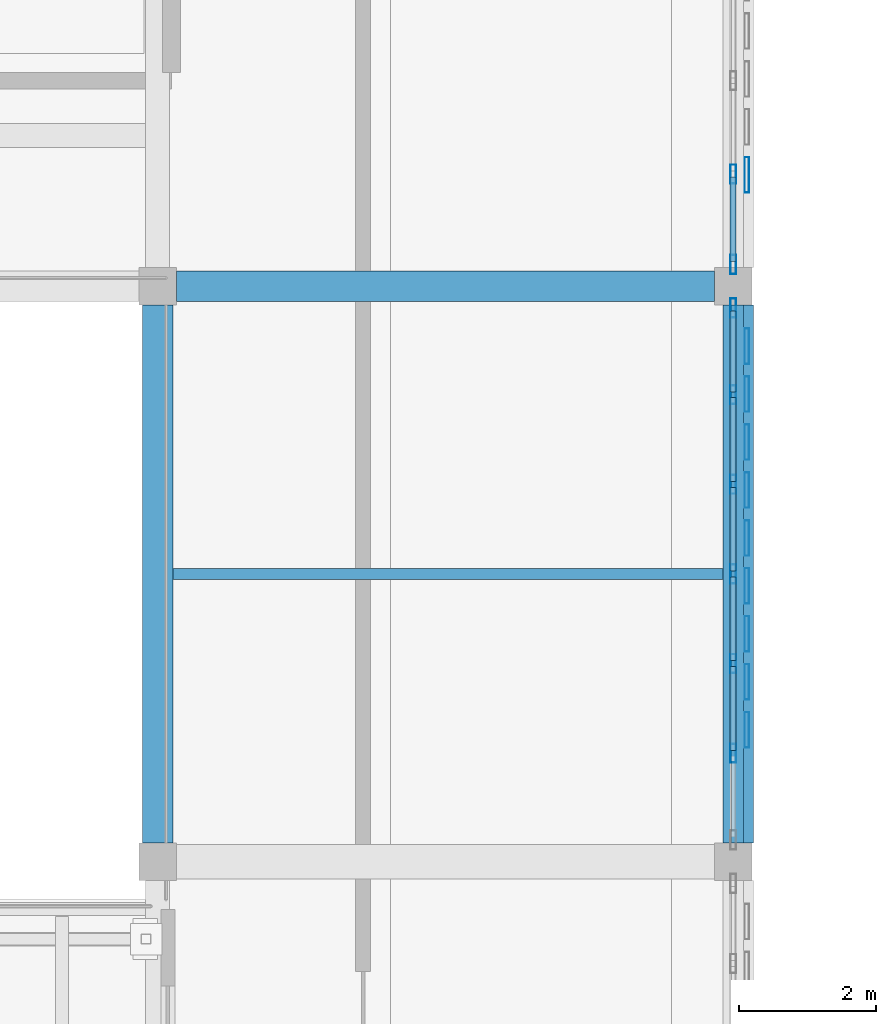
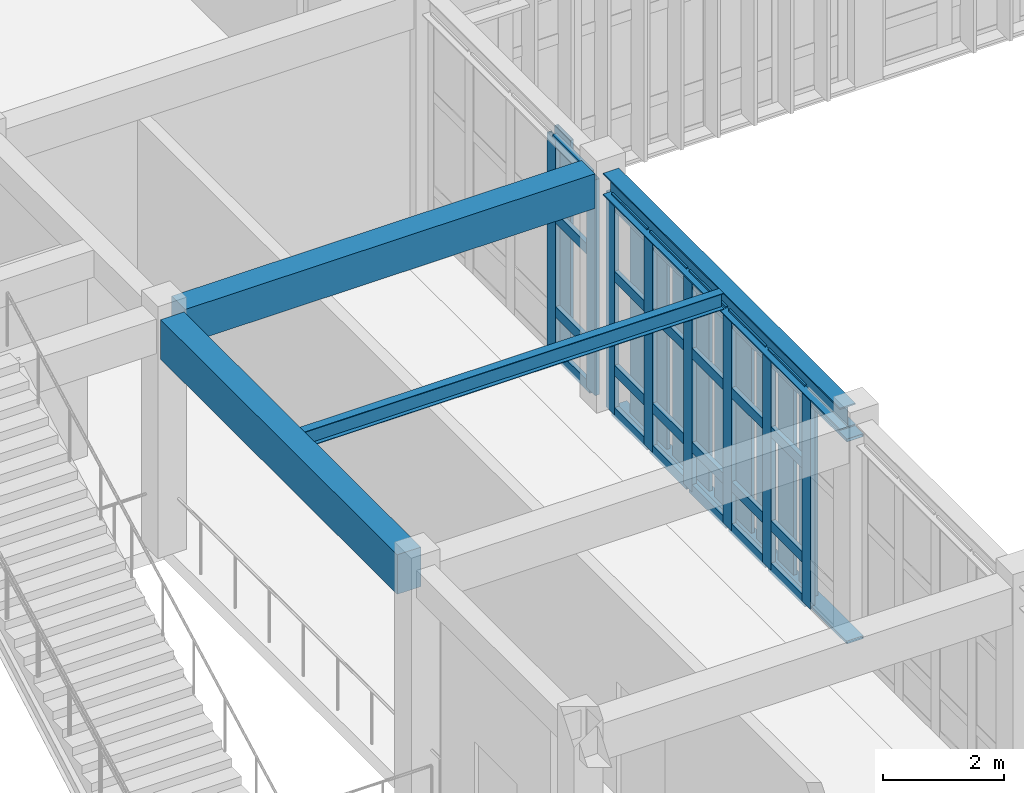
# One storey, part 36 of 106: 44 members, 4 beams, 2 elements without a shape of their own.
"""IFC4 building model written with IfcOpenShell, lengths in metres."""

from ifc_helpers import new_model, si_unit, direction, frame, origin, origin_2d, place, context, subcontext, project, spatial, rectangle, hollow_rectangle, i_section, extrude, material, layer, layer_set, material_profile, profile_set, type_object, element, aggregate, save


model = new_model("IFC4")

# Units and contexts
model_context = context("Model", 3, precision=1e-05, world=origin(), true_north=direction((0.0, 1.0)))
body_context = subcontext(model_context, "Body", "Model", "MODEL_VIEW")
ifc_project = project(units=[si_unit("LENGTHUNIT", "METRE"), si_unit("AREAUNIT", "SQUARE_METRE"), si_unit("VOLUMEUNIT", "CUBIC_METRE"), si_unit("PLANEANGLEUNIT", "RADIAN"), si_unit("MASSUNIT", "GRAM", prefix="KILO")], contexts=[model_context])

# Site, building, storey
site_placement = place(None, origin())
site = spatial("IfcSite", under=ifc_project, at=site_placement, CompositionType="ELEMENT")
building_placement = place(site_placement, origin())
building = spatial("IfcBuilding", under=site, at=building_placement, Name="Krzemoval Escarpment Law Courts", CompositionType="ELEMENT")
storey_placement = place(building_placement, frame((0.0, 0.0, 5.10009765625)))
storey = spatial("IfcBuildingStorey", under=building, at=storey_placement, Name="L01", CompositionType="ELEMENT", Elevation=5.10009765625)

# Beams
ifc_material_1 = material(Name="Concrete C40/50", Category="concrete")
ifc_material_profile_1 = material_profile(ifc_material_1, rectangle(XDim=0.449951171875, YDim=0.699951171875, at=origin_2d()), Name="RCB 450x700")
ifc_profile_set_1 = profile_set([ifc_material_profile_1], Name="Concrete C40/50")
beam_type_1 = type_object("IfcBeamType", Name="BM-RC-450x700", PredefinedType="BEAM", material=ifc_profile_set_1)
beam_1_placement = place(storey_placement, frame((33.875, 93.60009765625, 4.469970703125), z_axis=(1.0, 0.0, 0.0), x_axis=(0.0, 1.0, 0.0)))
element("IfcBeam", 1, at=beam_1_placement, inside=storey, type_object=beam_type_1, Name="Beam FG-L01-1291", PredefinedType="BEAM", context=body_context, shape_type="SweptSolid", body=[
    extrude(rectangle(XDim=0.449951171875, YDim=0.699951171875, at=origin_2d()), origin(), (0.0, 0.0, 1.0), 7.85009765625),
])
ifc_material_2 = material(Name="Concrete C40/50", Category="concrete")
ifc_material_profile_2 = material_profile(ifc_material_2, rectangle(XDim=0.449951171875, YDim=0.800048828125, at=origin_2d()), Name="RCB 450x800")
ifc_profile_set_2 = profile_set([ifc_material_profile_2], Name="Concrete C40/50")
beam_type_2 = type_object("IfcBeamType", Name="BM-RC-450x800", PredefinedType="BEAM", material=ifc_profile_set_2)
beam_2_placement = place(storey_placement, frame((33.60009765625, 85.47509765625, 4.419921875), z_axis=(0.0, 1.0, 0.0), x_axis=(-1.0, 0.0, 0.0)))
element("IfcBeam", 2, at=beam_2_placement, inside=storey, type_object=beam_type_2, Name="Beam FG-L01-1431", PredefinedType="BEAM", context=body_context, shape_type="SweptSolid", body=[
    extrude(rectangle(XDim=0.449951171875, YDim=0.800048828125, at=origin_2d()), origin(), (0.0, 0.0, 1.0), 7.849853515625),
])

# Curtain wall, members
ifc_material_3 = material(Name="Aluminium 6063-T6", Category="aluminium")
ifc_layer = layer(ifc_material_3, 0.280029296875)
ifc_layer_set = layer_set([ifc_layer], Name="Aluminium 6063-T6")
curtain_wall_type = type_object("IfcCurtainWallType", Name="CW-HALL-5100", PredefinedType="USERDEFINED", material=ifc_layer_set)
curtain_wall_1_placement = place(storey_placement, origin())
curtain_wall_1 = element("IfcCurtainWall", 3, at=curtain_wall_1_placement, inside=storey, type_object=curtain_wall_type, Name="Unitised Curtain Wall FCW-L01-056", ObjectType="UNITISED_CURTAIN_WALL", PredefinedType="USERDEFINED")
ifc_material_4 = material(Name="Aluminium 6063-T6", Category="aluminium")
ifc_material_profile_3 = material_profile(ifc_material_4, hollow_rectangle(XDim=0.0849609375, YDim=0.280029296875, WallThickness=0.005615234375, at=origin_2d()), Name="ALU M85x280")
ifc_profile_set_3 = profile_set([ifc_material_profile_3], Name="Aluminium 6063-T6")
member_type_1 = type_object("IfcMemberType", Name="CWM-85x280", PredefinedType="MULLION", material=ifc_profile_set_3)
member_1_placement = place(storey_placement, frame((42.0, 95.237548828125, 0.0), z_axis=(0.0, 0.0, 1.0), x_axis=(1.0, 0.0, 0.0)))
member_1 = element("IfcMember", 4, at=member_1_placement, type_object=member_type_1, Name="FCW-L01-056 mullion 4", PredefinedType="MULLION", context=body_context, shape_type="SweptSolid", body=[
    extrude(hollow_rectangle(XDim=0.0849609375, YDim=0.280029296875, WallThickness=0.005615234375, at=origin_2d()), origin(), (0.0, 0.0, 1.0), 4.369873046875),
])
member_2_placement = place(storey_placement, frame((42.0, 93.91748046875, 0.0), z_axis=(0.0, 0.0, 1.0), x_axis=(1.0, 0.0, 0.0)))
member_2 = element("IfcMember", 5, at=member_2_placement, type_object=member_type_1, Name="FCW-L01-056 mullion 5", PredefinedType="MULLION", context=body_context, shape_type="SweptSolid", body=[
    extrude(hollow_rectangle(XDim=0.0849609375, YDim=0.280029296875, WallThickness=0.005615234375, at=origin_2d()), origin(), (0.0, 0.0, 1.0), 4.369873046875),
])

curtain_wall_2_placement = place(storey_placement, origin())
curtain_wall_2 = element("IfcCurtainWall", 6, at=curtain_wall_2_placement, inside=storey, type_object=curtain_wall_type, Name="Unitised Curtain Wall FCW-L01-057", ObjectType="UNITISED_CURTAIN_WALL", PredefinedType="USERDEFINED")
member_3_placement = place(storey_placement, frame((42.0, 93.282470703125, 0.0), z_axis=(0.0, 0.0, 1.0), x_axis=(1.0, 0.0, 0.0)))
member_3 = element("IfcMember", 7, at=member_3_placement, type_object=member_type_1, Name="FCW-L01-057 mullion 1", PredefinedType="MULLION", context=body_context, shape_type="SweptSolid", body=[
    extrude(hollow_rectangle(XDim=0.0849609375, YDim=0.280029296875, WallThickness=0.005615234375, at=origin_2d()), origin(), (0.0, 0.0, 1.0), 4.369873046875),
])
member_4_placement = place(storey_placement, frame((42.0, 92.0166015625, 0.0), z_axis=(0.0, 0.0, 1.0), x_axis=(1.0, 0.0, 0.0)))
member_4 = element("IfcMember", 8, at=member_4_placement, type_object=member_type_1, Name="FCW-L01-057 mullion 2", PredefinedType="MULLION", context=body_context, shape_type="SweptSolid", body=[
    extrude(hollow_rectangle(XDim=0.0849609375, YDim=0.280029296875, WallThickness=0.005615234375, at=origin_2d()), origin(), (0.0, 0.0, 1.0), 4.369873046875),
])
member_5_placement = place(storey_placement, frame((42.0, 90.708251953125, 0.0), z_axis=(0.0, 0.0, 1.0), x_axis=(1.0, 0.0, 0.0)))
member_5 = element("IfcMember", 9, at=member_5_placement, type_object=member_type_1, Name="FCW-L01-057 mullion 3", PredefinedType="MULLION", context=body_context, shape_type="SweptSolid", body=[
    extrude(hollow_rectangle(XDim=0.0849609375, YDim=0.280029296875, WallThickness=0.005615234375, at=origin_2d()), origin(), (0.0, 0.0, 1.0), 4.369873046875),
])
member_6_placement = place(storey_placement, frame((42.0, 89.39990234375, 0.0), z_axis=(0.0, 0.0, 1.0), x_axis=(1.0, 0.0, 0.0)))
member_6 = element("IfcMember", 10, at=member_6_placement, type_object=member_type_1, Name="FCW-L01-057 mullion 4", PredefinedType="MULLION", context=body_context, shape_type="SweptSolid", body=[
    extrude(hollow_rectangle(XDim=0.0849609375, YDim=0.280029296875, WallThickness=0.005615234375, at=origin_2d()), origin(), (0.0, 0.0, 1.0), 4.369873046875),
])
member_7_placement = place(storey_placement, frame((42.0, 88.091552734375, 0.0), z_axis=(0.0, 0.0, 1.0), x_axis=(1.0, 0.0, 0.0)))
member_7 = element("IfcMember", 11, at=member_7_placement, type_object=member_type_1, Name="FCW-L01-057 mullion 5", PredefinedType="MULLION", context=body_context, shape_type="SweptSolid", body=[
    extrude(hollow_rectangle(XDim=0.0849609375, YDim=0.280029296875, WallThickness=0.005615234375, at=origin_2d()), origin(), (0.0, 0.0, 1.0), 4.369873046875),
])
member_8_placement = place(storey_placement, frame((42.0, 86.783447265625, 0.0), z_axis=(0.0, 0.0, 1.0), x_axis=(1.0, 0.0, 0.0)))
member_8 = element("IfcMember", 12, at=member_8_placement, type_object=member_type_1, Name="FCW-L01-057 mullion 6", PredefinedType="MULLION", context=body_context, shape_type="SweptSolid", body=[
    extrude(hollow_rectangle(XDim=0.0849609375, YDim=0.280029296875, WallThickness=0.005615234375, at=origin_2d()), origin(), (0.0, 0.0, 1.0), 4.369873046875),
])

# Member
ifc_material_5 = material(Name="Aluminium 6063-T6", Category="aluminium")
ifc_material_profile_4 = material_profile(ifc_material_5, hollow_rectangle(XDim=0.0849609375, YDim=0.2099609375, WallThickness=0.005615234375, at=origin_2d()), Name="ALU T85x210")
ifc_profile_set_4 = profile_set([ifc_material_profile_4], Name="Aluminium 6063-T6")
member_type_2 = type_object("IfcMemberType", Name="CWT-85x210", PredefinedType="USERDEFINED", material=ifc_profile_set_4)
member_9_placement = place(storey_placement, frame((42.0, 95.195068359375, 0.04248046875), z_axis=(0.0, -1.0, 0.0), x_axis=(1.0, 0.0, 0.0)))
member_9 = element("IfcMember", 13, at=member_9_placement, type_object=member_type_2, Name="FCW-L01-056 transom 4.1", ObjectType="TRANSOM", PredefinedType="USERDEFINED", context=body_context, shape_type="SweptSolid", body=[
    extrude(hollow_rectangle(XDim=0.0849609375, YDim=0.2099609375, WallThickness=0.005615234375, at=origin_2d()), origin(), (0.0, 0.0, 1.0), 1.235107421875),
])

member_10_placement = place(storey_placement, frame((42.0, 95.195068359375, 0.89990234375), z_axis=(0.0, -1.0, 0.0), x_axis=(1.0, 0.0, 0.0)))
member_10 = element("IfcMember", 14, at=member_10_placement, type_object=member_type_2, Name="FCW-L01-056 transom 4.2", ObjectType="TRANSOM", PredefinedType="USERDEFINED", context=body_context, shape_type="SweptSolid", body=[
    extrude(hollow_rectangle(XDim=0.0849609375, YDim=0.2099609375, WallThickness=0.005615234375, at=origin_2d()), origin(), (0.0, 0.0, 1.0), 1.235107421875),
])

member_11_placement = place(storey_placement, frame((42.0, 95.195068359375, 2.7998046875), z_axis=(0.0, -1.0, 0.0), x_axis=(1.0, 0.0, 0.0)))
member_11 = element("IfcMember", 15, at=member_11_placement, type_object=member_type_2, Name="FCW-L01-056 transom 4.3", ObjectType="TRANSOM", PredefinedType="USERDEFINED", context=body_context, shape_type="SweptSolid", body=[
    extrude(hollow_rectangle(XDim=0.0849609375, YDim=0.2099609375, WallThickness=0.005615234375, at=origin_2d()), origin(), (0.0, 0.0, 1.0), 1.235107421875),
])

member_12_placement = place(storey_placement, frame((42.0, 95.195068359375, 4.327392578125), z_axis=(0.0, -1.0, 0.0), x_axis=(1.0, 0.0, 0.0)))
member_12 = element("IfcMember", 16, at=member_12_placement, type_object=member_type_2, Name="FCW-L01-056 transom 4.4", ObjectType="TRANSOM", PredefinedType="USERDEFINED", context=body_context, shape_type="SweptSolid", body=[
    extrude(hollow_rectangle(XDim=0.0849609375, YDim=0.2099609375, WallThickness=0.005615234375, at=origin_2d()), origin(), (0.0, 0.0, 1.0), 1.235107421875),
])

aggregate(curtain_wall_1, [member_1, member_2, member_9, member_10, member_11, member_12])

member_13_placement = place(storey_placement, frame((42.0, 93.239990234375, 0.04248046875), z_axis=(0.0, -1.0, 0.0), x_axis=(1.0, 0.0, 0.0)))
member_13 = element("IfcMember", 17, at=member_13_placement, type_object=member_type_2, Name="FCW-L01-057 transom 1.1", ObjectType="TRANSOM", PredefinedType="USERDEFINED", context=body_context, shape_type="SweptSolid", body=[
    extrude(hollow_rectangle(XDim=0.0849609375, YDim=0.2099609375, WallThickness=0.005615234375, at=origin_2d()), origin(), (0.0, 0.0, 1.0), 1.180908203125),
])

member_14_placement = place(storey_placement, frame((42.0, 93.239990234375, 0.89990234375), z_axis=(0.0, -1.0, 0.0), x_axis=(1.0, 0.0, 0.0)))
member_14 = element("IfcMember", 18, at=member_14_placement, type_object=member_type_2, Name="FCW-L01-057 transom 1.2", ObjectType="TRANSOM", PredefinedType="USERDEFINED", context=body_context, shape_type="SweptSolid", body=[
    extrude(hollow_rectangle(XDim=0.0849609375, YDim=0.2099609375, WallThickness=0.005615234375, at=origin_2d()), origin(), (0.0, 0.0, 1.0), 1.180908203125),
])

member_15_placement = place(storey_placement, frame((42.0, 93.239990234375, 2.7998046875), z_axis=(0.0, -1.0, 0.0), x_axis=(1.0, 0.0, 0.0)))
member_15 = element("IfcMember", 19, at=member_15_placement, type_object=member_type_2, Name="FCW-L01-057 transom 1.3", ObjectType="TRANSOM", PredefinedType="USERDEFINED", context=body_context, shape_type="SweptSolid", body=[
    extrude(hollow_rectangle(XDim=0.0849609375, YDim=0.2099609375, WallThickness=0.005615234375, at=origin_2d()), origin(), (0.0, 0.0, 1.0), 1.180908203125),
])

member_16_placement = place(storey_placement, frame((42.0, 93.239990234375, 4.327392578125), z_axis=(0.0, -1.0, 0.0), x_axis=(1.0, 0.0, 0.0)))
member_16 = element("IfcMember", 20, at=member_16_placement, type_object=member_type_2, Name="FCW-L01-057 transom 1.4", ObjectType="TRANSOM", PredefinedType="USERDEFINED", context=body_context, shape_type="SweptSolid", body=[
    extrude(hollow_rectangle(XDim=0.0849609375, YDim=0.2099609375, WallThickness=0.005615234375, at=origin_2d()), origin(), (0.0, 0.0, 1.0), 1.180908203125),
])

member_17_placement = place(storey_placement, frame((42.0, 91.97412109375, 0.04248046875), z_axis=(0.0, -1.0, 0.0), x_axis=(1.0, 0.0, 0.0)))
member_17 = element("IfcMember", 21, at=member_17_placement, type_object=member_type_2, Name="FCW-L01-057 transom 2.1", ObjectType="TRANSOM", PredefinedType="USERDEFINED", context=body_context, shape_type="SweptSolid", body=[
    extrude(hollow_rectangle(XDim=0.0849609375, YDim=0.2099609375, WallThickness=0.005615234375, at=origin_2d()), origin(), (0.0, 0.0, 1.0), 1.223388671875),
])

member_18_placement = place(storey_placement, frame((42.0, 91.97412109375, 0.89990234375), z_axis=(0.0, -1.0, 0.0), x_axis=(1.0, 0.0, 0.0)))
member_18 = element("IfcMember", 22, at=member_18_placement, type_object=member_type_2, Name="FCW-L01-057 transom 2.2", ObjectType="TRANSOM", PredefinedType="USERDEFINED", context=body_context, shape_type="SweptSolid", body=[
    extrude(hollow_rectangle(XDim=0.0849609375, YDim=0.2099609375, WallThickness=0.005615234375, at=origin_2d()), origin(), (0.0, 0.0, 1.0), 1.223388671875),
])

member_19_placement = place(storey_placement, frame((42.0, 91.97412109375, 2.7998046875), z_axis=(0.0, -1.0, 0.0), x_axis=(1.0, 0.0, 0.0)))
member_19 = element("IfcMember", 23, at=member_19_placement, type_object=member_type_2, Name="FCW-L01-057 transom 2.3", ObjectType="TRANSOM", PredefinedType="USERDEFINED", context=body_context, shape_type="SweptSolid", body=[
    extrude(hollow_rectangle(XDim=0.0849609375, YDim=0.2099609375, WallThickness=0.005615234375, at=origin_2d()), origin(), (0.0, 0.0, 1.0), 1.223388671875),
])

member_20_placement = place(storey_placement, frame((42.0, 91.97412109375, 4.327392578125), z_axis=(0.0, -1.0, 0.0), x_axis=(1.0, 0.0, 0.0)))
member_20 = element("IfcMember", 24, at=member_20_placement, type_object=member_type_2, Name="FCW-L01-057 transom 2.4", ObjectType="TRANSOM", PredefinedType="USERDEFINED", context=body_context, shape_type="SweptSolid", body=[
    extrude(hollow_rectangle(XDim=0.0849609375, YDim=0.2099609375, WallThickness=0.005615234375, at=origin_2d()), origin(), (0.0, 0.0, 1.0), 1.223388671875),
])

member_21_placement = place(storey_placement, frame((42.0, 90.665771484375, 0.04248046875), z_axis=(0.0, -1.0, 0.0), x_axis=(1.0, 0.0, 0.0)))
member_21 = element("IfcMember", 25, at=member_21_placement, type_object=member_type_2, Name="FCW-L01-057 transom 3.1", ObjectType="TRANSOM", PredefinedType="USERDEFINED", context=body_context, shape_type="SweptSolid", body=[
    extrude(hollow_rectangle(XDim=0.0849609375, YDim=0.2099609375, WallThickness=0.005615234375, at=origin_2d()), origin(), (0.0, 0.0, 1.0), 1.223388671875),
])

member_22_placement = place(storey_placement, frame((42.0, 90.665771484375, 0.89990234375), z_axis=(0.0, -1.0, 0.0), x_axis=(1.0, 0.0, 0.0)))
member_22 = element("IfcMember", 26, at=member_22_placement, type_object=member_type_2, Name="FCW-L01-057 transom 3.2", ObjectType="TRANSOM", PredefinedType="USERDEFINED", context=body_context, shape_type="SweptSolid", body=[
    extrude(hollow_rectangle(XDim=0.0849609375, YDim=0.2099609375, WallThickness=0.005615234375, at=origin_2d()), origin(), (0.0, 0.0, 1.0), 1.223388671875),
])

member_23_placement = place(storey_placement, frame((42.0, 90.665771484375, 2.7998046875), z_axis=(0.0, -1.0, 0.0), x_axis=(1.0, 0.0, 0.0)))
member_23 = element("IfcMember", 27, at=member_23_placement, type_object=member_type_2, Name="FCW-L01-057 transom 3.3", ObjectType="TRANSOM", PredefinedType="USERDEFINED", context=body_context, shape_type="SweptSolid", body=[
    extrude(hollow_rectangle(XDim=0.0849609375, YDim=0.2099609375, WallThickness=0.005615234375, at=origin_2d()), origin(), (0.0, 0.0, 1.0), 1.223388671875),
])

member_24_placement = place(storey_placement, frame((42.0, 90.665771484375, 4.327392578125), z_axis=(0.0, -1.0, 0.0), x_axis=(1.0, 0.0, 0.0)))
member_24 = element("IfcMember", 28, at=member_24_placement, type_object=member_type_2, Name="FCW-L01-057 transom 3.4", ObjectType="TRANSOM", PredefinedType="USERDEFINED", context=body_context, shape_type="SweptSolid", body=[
    extrude(hollow_rectangle(XDim=0.0849609375, YDim=0.2099609375, WallThickness=0.005615234375, at=origin_2d()), origin(), (0.0, 0.0, 1.0), 1.223388671875),
])

member_25_placement = place(storey_placement, frame((42.0, 89.357421875, 0.04248046875), z_axis=(0.0, -1.0, 0.0), x_axis=(1.0, 0.0, 0.0)))
member_25 = element("IfcMember", 29, at=member_25_placement, type_object=member_type_2, Name="FCW-L01-057 transom 4.1", ObjectType="TRANSOM", PredefinedType="USERDEFINED", context=body_context, shape_type="SweptSolid", body=[
    extrude(hollow_rectangle(XDim=0.0849609375, YDim=0.2099609375, WallThickness=0.005615234375, at=origin_2d()), origin(), (0.0, 0.0, 1.0), 1.22314453125),
])

member_26_placement = place(storey_placement, frame((42.0, 89.357421875, 0.89990234375), z_axis=(0.0, -1.0, 0.0), x_axis=(1.0, 0.0, 0.0)))
member_26 = element("IfcMember", 30, at=member_26_placement, type_object=member_type_2, Name="FCW-L01-057 transom 4.2", ObjectType="TRANSOM", PredefinedType="USERDEFINED", context=body_context, shape_type="SweptSolid", body=[
    extrude(hollow_rectangle(XDim=0.0849609375, YDim=0.2099609375, WallThickness=0.005615234375, at=origin_2d()), origin(), (0.0, 0.0, 1.0), 1.22314453125),
])

member_27_placement = place(storey_placement, frame((42.0, 89.357421875, 2.7998046875), z_axis=(0.0, -1.0, 0.0), x_axis=(1.0, 0.0, 0.0)))
member_27 = element("IfcMember", 31, at=member_27_placement, type_object=member_type_2, Name="FCW-L01-057 transom 4.3", ObjectType="TRANSOM", PredefinedType="USERDEFINED", context=body_context, shape_type="SweptSolid", body=[
    extrude(hollow_rectangle(XDim=0.0849609375, YDim=0.2099609375, WallThickness=0.005615234375, at=origin_2d()), origin(), (0.0, 0.0, 1.0), 1.22314453125),
])

member_28_placement = place(storey_placement, frame((42.0, 89.357421875, 4.327392578125), z_axis=(0.0, -1.0, 0.0), x_axis=(1.0, 0.0, 0.0)))
member_28 = element("IfcMember", 32, at=member_28_placement, type_object=member_type_2, Name="FCW-L01-057 transom 4.4", ObjectType="TRANSOM", PredefinedType="USERDEFINED", context=body_context, shape_type="SweptSolid", body=[
    extrude(hollow_rectangle(XDim=0.0849609375, YDim=0.2099609375, WallThickness=0.005615234375, at=origin_2d()), origin(), (0.0, 0.0, 1.0), 1.22314453125),
])

member_29_placement = place(storey_placement, frame((42.0, 88.049072265625, 0.04248046875), z_axis=(0.0, -1.0, 0.0), x_axis=(1.0, 0.0, 0.0)))
member_29 = element("IfcMember", 33, at=member_29_placement, type_object=member_type_2, Name="FCW-L01-057 transom 5.1", ObjectType="TRANSOM", PredefinedType="USERDEFINED", context=body_context, shape_type="SweptSolid", body=[
    extrude(hollow_rectangle(XDim=0.0849609375, YDim=0.2099609375, WallThickness=0.005615234375, at=origin_2d()), origin(), (0.0, 0.0, 1.0), 1.22314453125),
])

member_30_placement = place(storey_placement, frame((42.0, 88.049072265625, 0.89990234375), z_axis=(0.0, -1.0, 0.0), x_axis=(1.0, 0.0, 0.0)))
member_30 = element("IfcMember", 34, at=member_30_placement, type_object=member_type_2, Name="FCW-L01-057 transom 5.2", ObjectType="TRANSOM", PredefinedType="USERDEFINED", context=body_context, shape_type="SweptSolid", body=[
    extrude(hollow_rectangle(XDim=0.0849609375, YDim=0.2099609375, WallThickness=0.005615234375, at=origin_2d()), origin(), (0.0, 0.0, 1.0), 1.22314453125),
])

member_31_placement = place(storey_placement, frame((42.0, 88.049072265625, 2.7998046875), z_axis=(0.0, -1.0, 0.0), x_axis=(1.0, 0.0, 0.0)))
member_31 = element("IfcMember", 35, at=member_31_placement, type_object=member_type_2, Name="FCW-L01-057 transom 5.3", ObjectType="TRANSOM", PredefinedType="USERDEFINED", context=body_context, shape_type="SweptSolid", body=[
    extrude(hollow_rectangle(XDim=0.0849609375, YDim=0.2099609375, WallThickness=0.005615234375, at=origin_2d()), origin(), (0.0, 0.0, 1.0), 1.22314453125),
])

member_32_placement = place(storey_placement, frame((42.0, 88.049072265625, 4.327392578125), z_axis=(0.0, -1.0, 0.0), x_axis=(1.0, 0.0, 0.0)))
member_32 = element("IfcMember", 36, at=member_32_placement, type_object=member_type_2, Name="FCW-L01-057 transom 5.4", ObjectType="TRANSOM", PredefinedType="USERDEFINED", context=body_context, shape_type="SweptSolid", body=[
    extrude(hollow_rectangle(XDim=0.0849609375, YDim=0.2099609375, WallThickness=0.005615234375, at=origin_2d()), origin(), (0.0, 0.0, 1.0), 1.22314453125),
])

aggregate(curtain_wall_2, [member_3, member_4, member_5, member_6, member_7, member_8, member_13, member_14, member_15, member_16, member_17, member_18, member_19, member_20, member_21, member_22, member_23, member_24, member_25, member_26, member_27, member_28, member_29, member_30, member_31, member_32])

# Beam
ifc_material_6 = material(Name="Steel S355", Category="steel")
ifc_material_profile_5 = material_profile(ifc_material_6, i_section(OverallWidth=0.159912109375, OverallDepth=0.330078125, WebThickness=0.007568359375, FlangeThickness=0.011474609375, at=origin_2d()), Name="IPE 330")
ifc_profile_set_5 = profile_set([ifc_material_profile_5], Name="Steel S355")
beam_type_3 = type_object("IfcBeamType", Name="JST-S355-IPE330", PredefinedType="JOIST", material=ifc_profile_set_5)
beam_3_placement = place(storey_placement, frame((33.824951171875, 89.39990234375, 4.65478515625), z_axis=(1.0, 0.0, 0.0), x_axis=(0.0, 1.0, 0.0)))
element("IfcBeam", 37, at=beam_3_placement, inside=storey, type_object=beam_type_3, Name="Secondary Joist FJ-L01-1629", PredefinedType="JOIST", context=body_context, shape_type="SweptSolid", body=[
    extrude(i_section(OverallWidth=0.159912109375, OverallDepth=0.330078125, WebThickness=0.007568359375, FlangeThickness=0.011474609375, at=origin_2d()), origin(), (0.0, 0.0, 1.0), 8.025146484375),
])

# Members
ifc_material_7 = material(Name="Anodised Aluminium Alloy 6063-T6", Category="aluminium")
ifc_material_profile_6 = material_profile(ifc_material_7, hollow_rectangle(XDim=0.06005859375, YDim=0.320068359375, WallThickness=0.00390625, at=origin_2d()), Name="ALU LVR 60x320")
ifc_profile_set_6 = profile_set([ifc_material_profile_6], Name="Anodised Aluminium Alloy 6063-T6")
member_type_3 = type_object("IfcMemberType", Name="LVR-ALU-320", PredefinedType="USERDEFINED", material=ifc_profile_set_6)
for number, where, z_axis, x_axis, name in (
    (38, (42.139892578125, 93.324951171875, 0.02978515625), (0.0, -1.0, 0.0), (0.0, 0.0, 1.0), "Sunshade Support Rail FSR-L01-0298"),
    (39, (42.139892578125, 93.324951171875, 4.119873046875), (0.0, -1.0, 0.0), (0.0, 0.0, 1.0), "Sunshade Support Rail FSR-L01-0299"),
):
    element("IfcMember", number, at=place(storey_placement, frame(where, z_axis=z_axis, x_axis=x_axis)), inside=storey, type_object=member_type_3, Name=name, ObjectType="SUNSHADE_LOUVRE", PredefinedType="USERDEFINED", context=body_context, shape_type="SweptSolid", body=[
        extrude(hollow_rectangle(XDim=0.06005859375, YDim=0.320068359375, WallThickness=0.00390625, at=origin_2d()), origin(), (0.0, 0.0, 1.0), 7.849853515625),
    ])
ifc_material_8 = material(Name="Anodised Aluminium Alloy 6063-T6", Category="aluminium")
ifc_material_profile_7 = material_profile(ifc_material_8, hollow_rectangle(XDim=0.06494140625, YDim=0.52001953125, WallThickness=0.00439453125, at=origin_2d()), Name="ALU LVR 65x520")
ifc_profile_set_7 = profile_set([ifc_material_profile_7], Name="Anodised Aluminium Alloy 6063-T6")
member_type_4 = type_object("IfcMemberType", Name="LVR-ALU-520", PredefinedType="USERDEFINED", material=ifc_profile_set_7)
for number, where, z_axis, x_axis, name in (
    (40, (42.199951171875, 95.22509765625, 0.059814453125), (0.0, 0.0, 1.0), (1.0, 0.0, 0.0), "Sunshade Louvre Fin FLV-L01-0297"),
    (41, (42.199951171875, 92.72509765625, 0.059814453125), (0.0, 0.0, 1.0), (1.0, 0.0, 0.0), "Sunshade Louvre Fin FLV-L01-0300"),
    (42, (42.199951171875, 92.02490234375, 0.059814453125), (0.0, 0.0, 1.0), (1.0, 0.0, 0.0), "Sunshade Louvre Fin FLV-L01-0301"),
    (43, (42.199951171875, 91.324951171875, 0.059814453125), (0.0, 0.0, 1.0), (1.0, 0.0, 0.0), "Sunshade Louvre Fin FLV-L01-0302"),
    (44, (42.199951171875, 90.625, 0.059814453125), (0.0, 0.0, 1.0), (1.0, 0.0, 0.0), "Sunshade Louvre Fin FLV-L01-0303"),
    (45, (42.199951171875, 89.925048828125, 0.059814453125), (0.0, 0.0, 1.0), (1.0, 0.0, 0.0), "Sunshade Louvre Fin FLV-L01-0304"),
    (46, (42.199951171875, 89.22509765625, 0.059814453125), (0.0, 0.0, 1.0), (1.0, 0.0, 0.0), "Sunshade Louvre Fin FLV-L01-0305"),
    (47, (42.199951171875, 88.52490234375, 0.059814453125), (0.0, 0.0, 1.0), (1.0, 0.0, 0.0), "Sunshade Louvre Fin FLV-L01-0306"),
    (48, (42.199951171875, 87.824951171875, 0.059814453125), (0.0, 0.0, 1.0), (1.0, 0.0, 0.0), "Sunshade Louvre Fin FLV-L01-0307"),
    (49, (42.199951171875, 87.125, 0.059814453125), (0.0, 0.0, 1.0), (1.0, 0.0, 0.0), "Sunshade Louvre Fin FLV-L01-0308"),
):
    element("IfcMember", number, at=place(storey_placement, frame(where, z_axis=z_axis, x_axis=x_axis)), inside=storey, type_object=member_type_4, Name=name, ObjectType="SUNSHADE_LOUVRE", PredefinedType="USERDEFINED", context=body_context, shape_type="SweptSolid", body=[
        extrude(hollow_rectangle(XDim=0.06494140625, YDim=0.52001953125, WallThickness=0.00439453125, at=origin_2d()), origin(), (0.0, 0.0, 1.0), 4.31005859375),
    ])

# Beam
ifc_material_9 = material(Name="Steel S355", Category="steel")
ifc_material_profile_8 = material_profile(ifc_material_9, i_section(OverallWidth=0.300048828125, OverallDepth=0.449951171875, WebThickness=0.013916015625, FlangeThickness=0.02587890625, at=origin_2d()), Name="HEB 450")
ifc_profile_set_8 = profile_set([ifc_material_profile_8], Name="Steel S355")
beam_type_4 = type_object("IfcBeamType", Name="SPN-S355-HEB450", PredefinedType="SPANDREL", material=ifc_profile_set_8)
beam_4_placement = place(storey_placement, frame((42.0, 85.47509765625, 4.594970703125), z_axis=(0.0, 1.0, 0.0), x_axis=(-1.0, 0.0, 0.0)))
element("IfcBeam", 50, at=beam_4_placement, inside=storey, type_object=beam_type_4, Name="Beam FG-L01-1447", PredefinedType="SPANDREL", context=body_context, shape_type="SweptSolid", body=[
    extrude(i_section(OverallWidth=0.300048828125, OverallDepth=0.449951171875, WebThickness=0.013916015625, FlangeThickness=0.02587890625, at=origin_2d()), origin(), (0.0, 0.0, 1.0), 7.849853515625),
])

save(model, "model.ifc")
